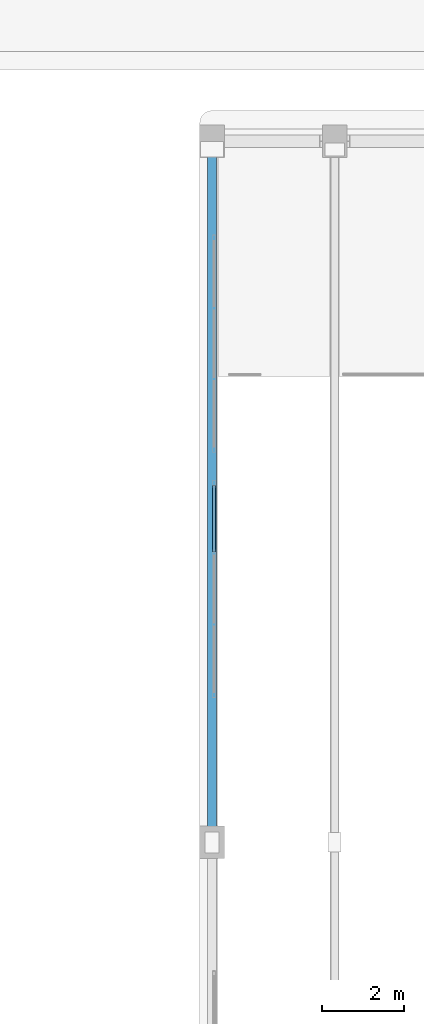
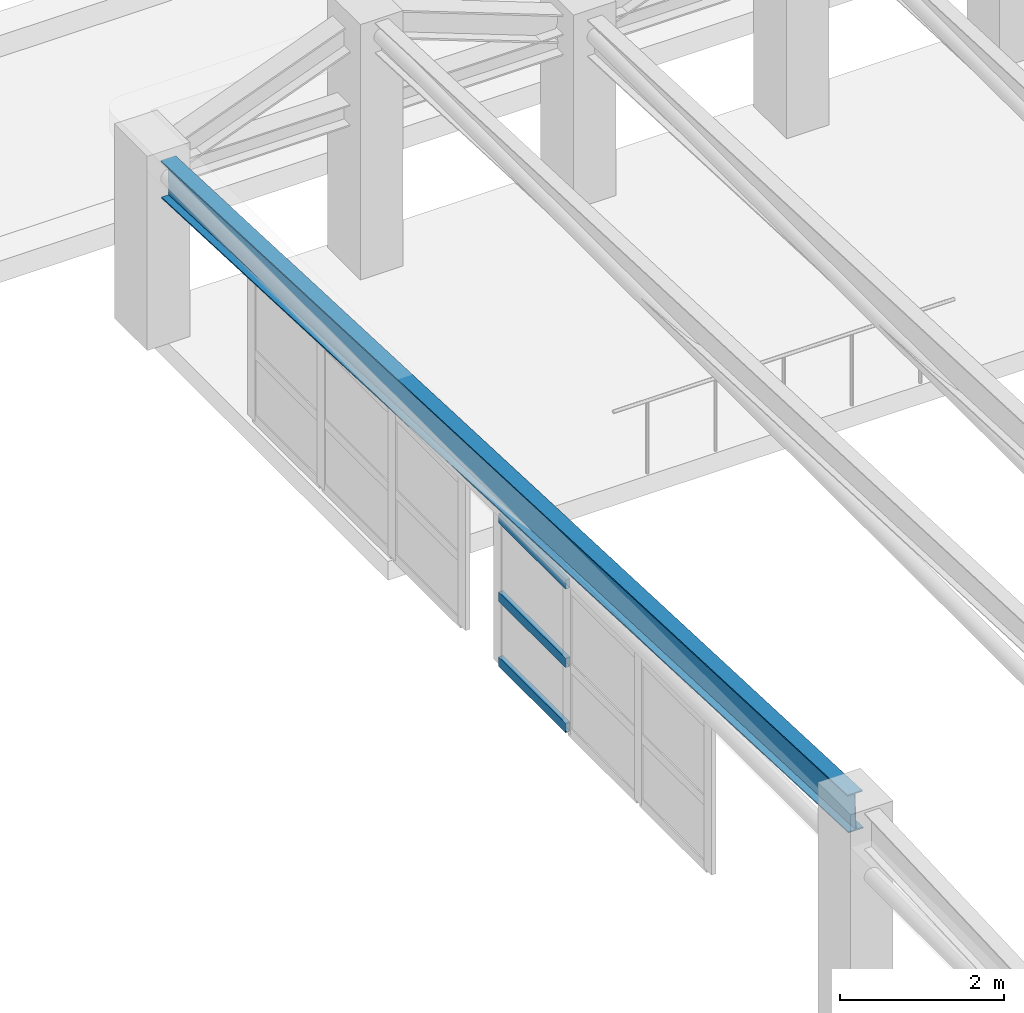
# One storey, part 16 of 128: 3 members, 1 beam, 1 element without a shape of its own.
"""IFC4 building model written with IfcOpenShell, lengths in metres."""

from ifc_helpers import new_model, si_unit, direction, frame, origin, origin_2d, place, context, subcontext, project, spatial, hollow_rectangle, i_section, extrude, material, layer, layer_set, material_profile, profile_set, type_object, element, aggregate, save


model = new_model("IFC4")

# Units and contexts
model_context = context("Model", 3, precision=1e-05, world=origin(), true_north=direction((0.0, 1.0)))
body_context = subcontext(model_context, "Body", "Model", "MODEL_VIEW")
ifc_project = project(units=[si_unit("LENGTHUNIT", "METRE"), si_unit("AREAUNIT", "SQUARE_METRE"), si_unit("VOLUMEUNIT", "CUBIC_METRE"), si_unit("PLANEANGLEUNIT", "RADIAN"), si_unit("MASSUNIT", "GRAM", prefix="KILO")], contexts=[model_context])

# Site, building, storey
site_placement = place(None, origin())
site = spatial("IfcSite", under=ifc_project, at=site_placement, CompositionType="ELEMENT")
building_placement = place(site_placement, origin())
building = spatial("IfcBuilding", under=site, at=building_placement, Name="Keldmere Railside Commons", CompositionType="ELEMENT")
storey_placement = place(building_placement, frame((0.0, 0.0, 4.159912109375)))
storey = spatial("IfcBuildingStorey", under=building, at=storey_placement, Name="L01", CompositionType="ELEMENT", Elevation=4.159912109375)

# Curtain wall, members
ifc_material_1 = material(Name="Thermally Broken Aluminium", Category="aluminium")
ifc_layer = layer(ifc_material_1, 0.159912109375, Name="Community Hall Side Clerestory CW 5200x2200")
ifc_layer_set = layer_set([ifc_layer], Name="Thermally Broken Aluminium")
curtain_wall_type = type_object("IfcCurtainWallType", Name="Community Hall Side Clerestory CW 5200x2200", PredefinedType="NOTDEFINED", material=ifc_layer_set)
curtain_wall_placement = place(storey_placement, origin())
curtain_wall = element("IfcCurtainWall", 1, at=curtain_wall_placement, inside=storey, type_object=curtain_wall_type, Name="CW-06 CW-L01-207", PredefinedType="NOTDEFINED")
ifc_material_profile_1 = material_profile(ifc_material_1, hollow_rectangle(XDim=0.06494140625, YDim=0.139892578125, WallThickness=0.00390625, at=origin_2d()), Name="ALU-TRAN-65x140")
ifc_profile_set_1 = profile_set([ifc_material_profile_1], Name="Thermally Broken Aluminium")
member_type = type_object("IfcMemberType", Name="Civic Tall Curtain Wall Transom 65x140", PredefinedType="USERDEFINED", material=ifc_profile_set_1)
member_1_placement = place(storey_placement, frame((64.050048828125, 36.69921875, 0.12255859375), z_axis=(0.0, 1.0, 0.0), x_axis=(-1.0, 0.0, 0.0)))
member_1 = element("IfcMember", 2, at=member_1_placement, type_object=member_type, Name="CW-06 transom 3.1", ObjectType="TRANSOM", PredefinedType="USERDEFINED", context=body_context, shape_type="SweptSolid", body=[
    extrude(hollow_rectangle(XDim=0.06494140625, YDim=0.139892578125, WallThickness=0.00390625, at=origin_2d()), origin(), (0.0, 0.0, 1.0), 1.6357421875),
])
member_2_placement = place(storey_placement, frame((64.050048828125, 36.69921875, 1.090087890625), z_axis=(0.0, 1.0, 0.0), x_axis=(-1.0, 0.0, 0.0)))
member_2 = element("IfcMember", 3, at=member_2_placement, type_object=member_type, Name="CW-06 transom 3.2", ObjectType="TRANSOM", PredefinedType="USERDEFINED", context=body_context, shape_type="SweptSolid", body=[
    extrude(hollow_rectangle(XDim=0.06494140625, YDim=0.139892578125, WallThickness=0.00390625, at=origin_2d()), origin(), (0.0, 0.0, 1.0), 1.6357421875),
])
member_3_placement = place(storey_placement, frame((64.050048828125, 36.69921875, 2.257568359375), z_axis=(0.0, 1.0, 0.0), x_axis=(-1.0, 0.0, 0.0)))
member_3 = element("IfcMember", 4, at=member_3_placement, type_object=member_type, Name="CW-06 transom 3.3", ObjectType="TRANSOM", PredefinedType="USERDEFINED", context=body_context, shape_type="SweptSolid", body=[
    extrude(hollow_rectangle(XDim=0.06494140625, YDim=0.139892578125, WallThickness=0.00390625, at=origin_2d()), origin(), (0.0, 0.0, 1.0), 1.6357421875),
])
aggregate(curtain_wall, [member_1, member_2, member_3])

# Beam
ifc_material_2 = material(Name="Steel F-36 (S355)", Category="steel")
ifc_material_profile_2 = material_profile(ifc_material_2, i_section(OverallWidth=0.2099609375, OverallDepth=0.550048828125, WebThickness=0.010986328125, FlangeThickness=0.01708984375, at=origin_2d()), Name="IPE-550")
ifc_profile_set_2 = profile_set([ifc_material_profile_2], Name="Steel F-36 (S355)")
beam_type = type_object("IfcBeamType", Name="Folded-Plate Steel Valley Rib IPE550", PredefinedType="BEAM", material=ifc_profile_set_2)
beam_placement = place(storey_placement, frame((64.0, 29.60009765625, 3.190185546875), z_axis=(0.0, 0.999102317345, -0.042362241155), x_axis=(-1.0, 0.0, 0.0)))
element("IfcBeam", 5, at=beam_placement, inside=storey, type_object=beam_type, Name="FPV-1 BM-L01-2576", PredefinedType="BEAM", context=body_context, shape_type="SweptSolid", body=[
    extrude(i_section(OverallWidth=0.2099609375, OverallDepth=0.550048828125, WebThickness=0.010986328125, FlangeThickness=0.01708984375, at=origin_2d()), origin(), (0.0, 0.0, 1.0), 16.76513671875),
])

save(model, "model.ifc")
